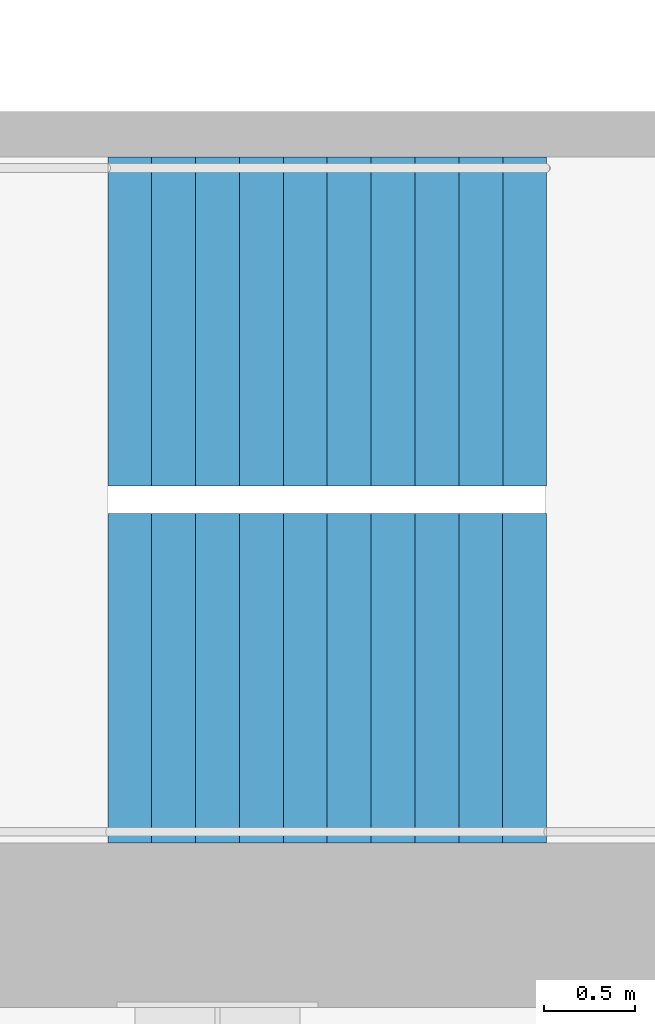
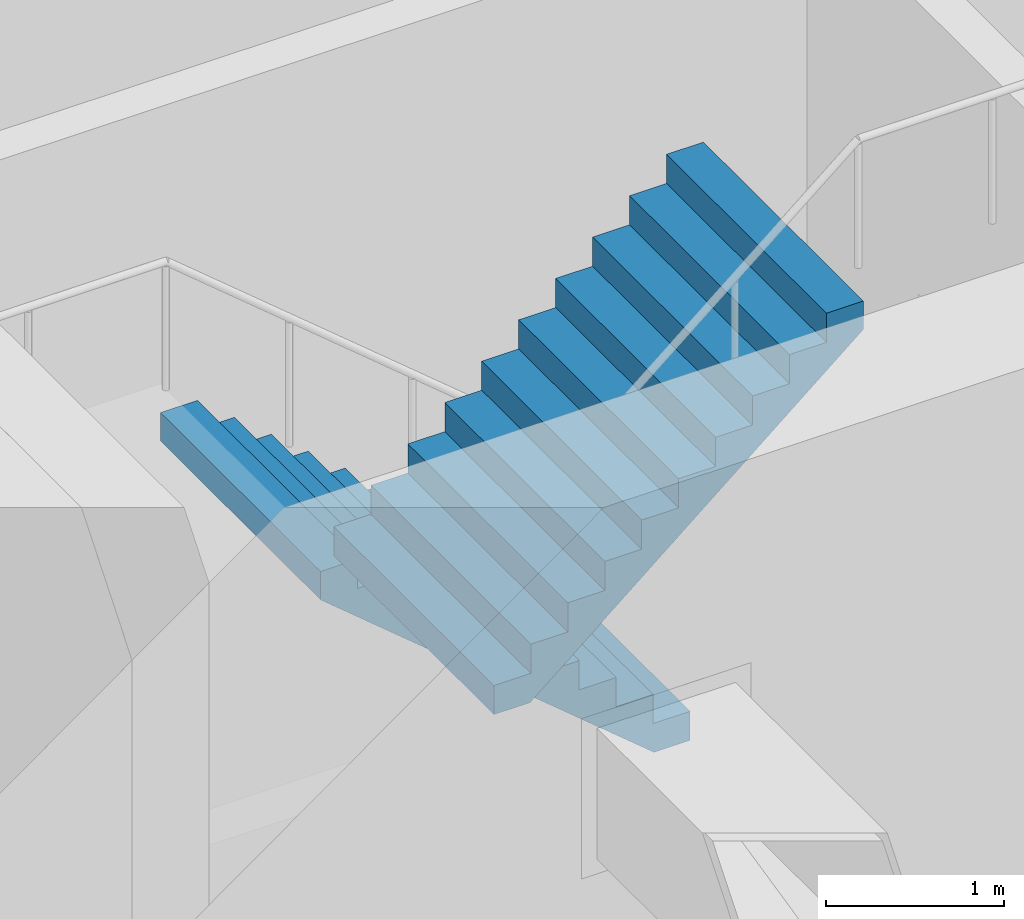
# One storey, part 28 of 33: 2 stair flights, 1 element without a shape of its own.
"""IFC4 building model written with IfcOpenShell, lengths in metres."""

from ifc_helpers import new_model, si_unit, direction, frame, origin, place, context, subcontext, project, spatial, triangles, material, type_object, element, aggregate, save


model = new_model("IFC4")

# Units and contexts
model_context = context("Model", 3, precision=1e-05, world=origin(), true_north=direction((0.0, 1.0)))
body_context = subcontext(model_context, "Body", "Model", "MODEL_VIEW")
ifc_project = project(units=[si_unit("LENGTHUNIT", "METRE"), si_unit("AREAUNIT", "SQUARE_METRE"), si_unit("VOLUMEUNIT", "CUBIC_METRE"), si_unit("PLANEANGLEUNIT", "RADIAN"), si_unit("MASSUNIT", "GRAM", prefix="KILO")], contexts=[model_context])

# Site, building, storey
site_placement = place(None, origin())
site = spatial("IfcSite", under=ifc_project, at=site_placement, CompositionType="ELEMENT")
building_placement = place(site_placement, origin())
building = spatial("IfcBuilding", under=site, at=building_placement, Name="Hakoniwa Tower and Hamabe Station Hall", CompositionType="ELEMENT")
storey_placement = place(building_placement, frame((0.0, 0.0, 228.199951171875)))
storey = spatial("IfcBuildingStorey", under=building, at=storey_placement, Name="L65", CompositionType="ELEMENT", Elevation=228.199951171875)

# Stair, stair flights
ifc_material_1 = material(Name="Concrete C40", Category="concrete")
stair_type = type_object("IfcStairType", Name="ESCAPE STAIR 1800", PredefinedType="HALF_TURN_STAIR", material=ifc_material_1)
stair_placement = place(storey_placement, origin())
stair = element("IfcStair", 1, at=stair_placement, inside=storey, type_object=stair_type, Name="Escape stair ST-2 L65", PredefinedType="HALF_TURN_STAIR")
ifc_material_2 = material(Name="Concrete C40", Category="concrete")
stair_flight_type = type_object("IfcStairFlightType", Name="STAIR FLIGHT 1800", PredefinedType="STRAIGHT", material=ifc_material_2)
stair_flight_1_placement = place(storey_placement, frame((-23.39990234375, -4.64990234375, 0.0), z_axis=(0.0, 0.0, 1.0), x_axis=(-1.0, 0.0, 0.0)))
stair_flight_1 = element("IfcStairFlight", 2, at=stair_flight_1_placement, type_object=stair_flight_type, Name="ST-2 flight 1", NumberOfRisers=11, NumberOfTreads=10, PredefinedType="STRAIGHT", RiserHeight=0.2, TreadLength=0.24, context=body_context, shape_type="Tessellation", body=[
    triangles([(0.0, 0.89990234375, 0.0), (0.234130859375, 0.89990234375, 0.0), (0.239990234375, 0.89990234375, 0.0048828125), (0.47998046875, 0.89990234375, 0.204833984375), (0.719970703125, 0.89990234375, 0.40478515625), (0.9599609375, 0.89990234375, 0.60498046875), (1.199951171875, 0.89990234375, 0.804931640625), (1.43994140625, 0.89990234375, 1.0048828125), (1.679931640625, 0.89990234375, 1.204833984375), (1.919921875, 0.89990234375, 1.40478515625), (2.159912109375, 0.89990234375, 1.60498046875), (2.39990234375, 0.89990234375, 1.804931640625), (2.39990234375, 0.89990234375, 2.0), (2.159912109375, 0.89990234375, 2.0), (2.159912109375, 0.89990234375, 1.800048828125), (1.919921875, 0.89990234375, 1.800048828125), (1.919921875, 0.89990234375, 1.60009765625), (1.679931640625, 0.89990234375, 1.60009765625), (1.679931640625, 0.89990234375, 1.39990234375), (1.43994140625, 0.89990234375, 1.39990234375), (1.43994140625, 0.89990234375, 1.199951171875), (1.199951171875, 0.89990234375, 1.199951171875), (1.199951171875, 0.89990234375, 1.0), (0.9599609375, 0.89990234375, 1.0), (0.9599609375, 0.89990234375, 0.800048828125), (0.719970703125, 0.89990234375, 0.800048828125), (0.719970703125, 0.89990234375, 0.60009765625), (0.47998046875, 0.89990234375, 0.60009765625), (0.47998046875, 0.89990234375, 0.39990234375), (0.239990234375, 0.89990234375, 0.39990234375), (0.239990234375, 0.89990234375, 0.199951171875), (0.234130859375, 0.89990234375, 0.199951171875), (0.0, 0.89990234375, 0.199951171875), (0.0, 0.06005859375, 0.0), (0.234130859375, 0.06005859375, 0.0), (0.239990234375, 0.06005859375, 0.0048828125), (0.47998046875, 0.06005859375, 0.204833984375), (0.719970703125, 0.06005859375, 0.40478515625), (0.9599609375, 0.06005859375, 0.60498046875), (1.199951171875, 0.06005859375, 0.804931640625), (1.43994140625, 0.06005859375, 1.0048828125), (1.679931640625, 0.06005859375, 1.204833984375), (1.919921875, 0.06005859375, 1.40478515625), (2.159912109375, 0.06005859375, 1.60498046875), (2.39990234375, 0.06005859375, 1.804931640625), (2.39990234375, 0.06005859375, 2.0), (2.159912109375, 0.06005859375, 2.0), (2.159912109375, 0.06005859375, 1.800048828125), (1.919921875, 0.06005859375, 1.800048828125), (1.919921875, 0.06005859375, 1.60009765625), (1.679931640625, 0.06005859375, 1.60009765625), (1.679931640625, 0.06005859375, 1.39990234375), (1.43994140625, 0.06005859375, 1.39990234375), (1.43994140625, 0.06005859375, 1.199951171875), (1.199951171875, 0.06005859375, 1.199951171875), (1.199951171875, 0.06005859375, 1.0), (0.9599609375, 0.06005859375, 1.0), (0.9599609375, 0.06005859375, 0.800048828125), (0.719970703125, 0.06005859375, 0.800048828125), (0.719970703125, 0.06005859375, 0.60009765625), (0.47998046875, 0.06005859375, 0.60009765625), (0.47998046875, 0.06005859375, 0.39990234375), (0.239990234375, 0.06005859375, 0.39990234375), (0.239990234375, 0.06005859375, 0.199951171875), (0.234130859375, 0.06005859375, 0.199951171875), (0.0, 0.06005859375, 0.199951171875), (0.0, 0.02001953125, 0.0), (0.234130859375, 0.02001953125, 0.0), (0.239990234375, 0.02001953125, 0.0048828125), (0.47998046875, 0.02001953125, 0.204833984375), (0.719970703125, 0.02001953125, 0.40478515625), (0.9599609375, 0.02001953125, 0.60498046875), (1.199951171875, 0.02001953125, 0.804931640625), (1.43994140625, 0.02001953125, 1.0048828125), (1.679931640625, 0.02001953125, 1.204833984375), (1.919921875, 0.02001953125, 1.40478515625), (2.159912109375, 0.02001953125, 1.60498046875), (2.39990234375, 0.02001953125, 1.804931640625), (2.39990234375, 0.02001953125, 2.0), (2.159912109375, 0.02001953125, 2.0), (2.159912109375, 0.02001953125, 1.800048828125), (1.919921875, 0.02001953125, 1.800048828125), (1.919921875, 0.02001953125, 1.60009765625), (1.679931640625, 0.02001953125, 1.60009765625), (1.679931640625, 0.02001953125, 1.39990234375), (1.43994140625, 0.02001953125, 1.39990234375), (1.43994140625, 0.02001953125, 1.199951171875), (1.199951171875, 0.02001953125, 1.199951171875), (1.199951171875, 0.02001953125, 1.0), (0.9599609375, 0.02001953125, 1.0), (0.9599609375, 0.02001953125, 0.800048828125), (0.719970703125, 0.02001953125, 0.800048828125), (0.719970703125, 0.02001953125, 0.60009765625), (0.47998046875, 0.02001953125, 0.60009765625), (0.47998046875, 0.02001953125, 0.39990234375), (0.239990234375, 0.02001953125, 0.39990234375), (0.239990234375, 0.02001953125, 0.199951171875), (0.234130859375, 0.02001953125, 0.199951171875), (0.0, 0.02001953125, 0.199951171875), (0.0, -0.02001953125, 0.0), (0.234130859375, -0.02001953125, 0.0), (0.239990234375, -0.02001953125, 0.0048828125), (0.47998046875, -0.02001953125, 0.204833984375), (0.719970703125, -0.02001953125, 0.40478515625), (0.9599609375, -0.02001953125, 0.60498046875), (1.199951171875, -0.02001953125, 0.804931640625), (1.43994140625, -0.02001953125, 1.0048828125), (1.679931640625, -0.02001953125, 1.204833984375), (1.919921875, -0.02001953125, 1.40478515625), (2.159912109375, -0.02001953125, 1.60498046875), (2.39990234375, -0.02001953125, 1.804931640625), (2.39990234375, -0.02001953125, 2.0), (2.159912109375, -0.02001953125, 2.0), (2.159912109375, -0.02001953125, 1.800048828125), (1.919921875, -0.02001953125, 1.800048828125), (1.919921875, -0.02001953125, 1.60009765625), (1.679931640625, -0.02001953125, 1.60009765625), (1.679931640625, -0.02001953125, 1.39990234375), (1.43994140625, -0.02001953125, 1.39990234375), (1.43994140625, -0.02001953125, 1.199951171875), (1.199951171875, -0.02001953125, 1.199951171875), (1.199951171875, -0.02001953125, 1.0), (0.9599609375, -0.02001953125, 1.0), (0.9599609375, -0.02001953125, 0.800048828125), (0.719970703125, -0.02001953125, 0.800048828125), (0.719970703125, -0.02001953125, 0.60009765625), (0.47998046875, -0.02001953125, 0.60009765625), (0.47998046875, -0.02001953125, 0.39990234375), (0.239990234375, -0.02001953125, 0.39990234375), (0.239990234375, -0.02001953125, 0.199951171875), (0.234130859375, -0.02001953125, 0.199951171875), (0.0, -0.02001953125, 0.199951171875), (0.0, -0.06005859375, 0.0), (0.234130859375, -0.06005859375, 0.0), (0.239990234375, -0.06005859375, 0.0048828125), (0.47998046875, -0.06005859375, 0.204833984375), (0.719970703125, -0.06005859375, 0.40478515625), (0.9599609375, -0.06005859375, 0.60498046875), (1.199951171875, -0.06005859375, 0.804931640625), (1.43994140625, -0.06005859375, 1.0048828125), (1.679931640625, -0.06005859375, 1.204833984375), (1.919921875, -0.06005859375, 1.40478515625), (2.159912109375, -0.06005859375, 1.60498046875), (2.39990234375, -0.06005859375, 1.804931640625), (2.39990234375, -0.06005859375, 2.0), (2.159912109375, -0.06005859375, 2.0), (2.159912109375, -0.06005859375, 1.800048828125), (1.919921875, -0.06005859375, 1.800048828125), (1.919921875, -0.06005859375, 1.60009765625), (1.679931640625, -0.06005859375, 1.60009765625), (1.679931640625, -0.06005859375, 1.39990234375), (1.43994140625, -0.06005859375, 1.39990234375), (1.43994140625, -0.06005859375, 1.199951171875), (1.199951171875, -0.06005859375, 1.199951171875), (1.199951171875, -0.06005859375, 1.0), (0.9599609375, -0.06005859375, 1.0), (0.9599609375, -0.06005859375, 0.800048828125), (0.719970703125, -0.06005859375, 0.800048828125), (0.719970703125, -0.06005859375, 0.60009765625), (0.47998046875, -0.06005859375, 0.60009765625), (0.47998046875, -0.06005859375, 0.39990234375), (0.239990234375, -0.06005859375, 0.39990234375), (0.239990234375, -0.06005859375, 0.199951171875), (0.234130859375, -0.06005859375, 0.199951171875), (0.0, -0.06005859375, 0.199951171875), (0.0, -0.89990234375, 0.0), (0.234130859375, -0.89990234375, 0.0), (0.239990234375, -0.89990234375, 0.0048828125), (0.47998046875, -0.89990234375, 0.204833984375), (0.719970703125, -0.89990234375, 0.40478515625), (0.9599609375, -0.89990234375, 0.60498046875), (1.199951171875, -0.89990234375, 0.804931640625), (1.43994140625, -0.89990234375, 1.0048828125), (1.679931640625, -0.89990234375, 1.204833984375), (1.919921875, -0.89990234375, 1.40478515625), (2.159912109375, -0.89990234375, 1.60498046875), (2.39990234375, -0.89990234375, 1.804931640625), (2.39990234375, -0.89990234375, 2.0), (2.159912109375, -0.89990234375, 2.0), (2.159912109375, -0.89990234375, 1.800048828125), (1.919921875, -0.89990234375, 1.800048828125), (1.919921875, -0.89990234375, 1.60009765625), (1.679931640625, -0.89990234375, 1.60009765625), (1.679931640625, -0.89990234375, 1.39990234375), (1.43994140625, -0.89990234375, 1.39990234375), (1.43994140625, -0.89990234375, 1.199951171875), (1.199951171875, -0.89990234375, 1.199951171875), (1.199951171875, -0.89990234375, 1.0), (0.9599609375, -0.89990234375, 1.0), (0.9599609375, -0.89990234375, 0.800048828125), (0.719970703125, -0.89990234375, 0.800048828125), (0.719970703125, -0.89990234375, 0.60009765625), (0.47998046875, -0.89990234375, 0.60009765625), (0.47998046875, -0.89990234375, 0.39990234375), (0.239990234375, -0.89990234375, 0.39990234375), (0.239990234375, -0.89990234375, 0.199951171875), (0.234130859375, -0.89990234375, 0.199951171875), (0.0, -0.89990234375, 0.199951171875)], [[2, 33, 32], [167, 197, 198], [2, 1, 33], [167, 198, 166], [3, 32, 31], [168, 196, 197], [3, 2, 32], [168, 197, 167], [4, 30, 29], [169, 194, 195], [4, 31, 30], [169, 195, 196], [4, 3, 31], [169, 196, 168], [5, 28, 27], [170, 192, 193], [5, 29, 28], [170, 193, 194], [5, 4, 29], [170, 194, 169], [6, 26, 25], [171, 190, 191], [6, 27, 26], [171, 191, 192], [6, 5, 27], [171, 192, 170], [7, 24, 23], [172, 188, 189], [7, 25, 24], [172, 189, 190], [7, 6, 25], [172, 190, 171], [8, 22, 21], [173, 186, 187], [8, 23, 22], [173, 187, 188], [8, 7, 23], [173, 188, 172], [9, 20, 19], [174, 184, 185], [9, 21, 20], [174, 185, 186], [9, 8, 21], [174, 186, 173], [10, 18, 17], [175, 182, 183], [10, 19, 18], [175, 183, 184], [10, 9, 19], [175, 184, 174], [11, 16, 15], [176, 180, 181], [11, 17, 16], [176, 181, 182], [11, 10, 17], [176, 182, 175], [12, 14, 13], [177, 178, 179], [12, 15, 14], [177, 179, 180], [12, 11, 15], [177, 180, 176], [1, 2, 35], [1, 35, 34], [34, 35, 68], [34, 68, 67], [67, 68, 101], [67, 101, 100], [100, 101, 134], [100, 134, 133], [133, 134, 167], [133, 167, 166], [2, 3, 36], [2, 36, 35], [35, 36, 69], [35, 69, 68], [68, 69, 102], [68, 102, 101], [101, 102, 135], [101, 135, 134], [134, 135, 168], [134, 168, 167], [3, 4, 37], [3, 37, 36], [36, 37, 70], [36, 70, 69], [69, 70, 103], [69, 103, 102], [102, 103, 136], [102, 136, 135], [135, 136, 169], [135, 169, 168], [4, 5, 38], [4, 38, 37], [37, 38, 71], [37, 71, 70], [70, 71, 104], [70, 104, 103], [103, 104, 137], [103, 137, 136], [136, 137, 170], [136, 170, 169], [5, 6, 39], [5, 39, 38], [38, 39, 72], [38, 72, 71], [71, 72, 105], [71, 105, 104], [104, 105, 138], [104, 138, 137], [137, 138, 171], [137, 171, 170], [6, 7, 40], [6, 40, 39], [39, 40, 73], [39, 73, 72], [72, 73, 106], [72, 106, 105], [105, 106, 139], [105, 139, 138], [138, 139, 172], [138, 172, 171], [7, 8, 41], [7, 41, 40], [40, 41, 74], [40, 74, 73], [73, 74, 107], [73, 107, 106], [106, 107, 140], [106, 140, 139], [139, 140, 173], [139, 173, 172], [8, 9, 42], [8, 42, 41], [41, 42, 75], [41, 75, 74], [74, 75, 108], [74, 108, 107], [107, 108, 141], [107, 141, 140], [140, 141, 174], [140, 174, 173], [9, 10, 43], [9, 43, 42], [42, 43, 76], [42, 76, 75], [75, 76, 109], [75, 109, 108], [108, 109, 142], [108, 142, 141], [141, 142, 175], [141, 175, 174], [10, 11, 44], [10, 44, 43], [43, 44, 77], [43, 77, 76], [76, 77, 110], [76, 110, 109], [109, 110, 143], [109, 143, 142], [142, 143, 176], [142, 176, 175], [11, 12, 45], [11, 45, 44], [44, 45, 78], [44, 78, 77], [77, 78, 111], [77, 111, 110], [110, 111, 144], [110, 144, 143], [143, 144, 177], [143, 177, 176], [12, 13, 46], [12, 46, 45], [45, 46, 79], [45, 79, 78], [78, 79, 112], [78, 112, 111], [111, 112, 145], [111, 145, 144], [144, 145, 178], [144, 178, 177], [13, 14, 47], [13, 47, 46], [46, 47, 80], [46, 80, 79], [79, 80, 113], [79, 113, 112], [112, 113, 146], [112, 146, 145], [145, 146, 179], [145, 179, 178], [14, 15, 48], [14, 48, 47], [47, 48, 81], [47, 81, 80], [80, 81, 114], [80, 114, 113], [113, 114, 147], [113, 147, 146], [146, 147, 180], [146, 180, 179], [15, 16, 49], [15, 49, 48], [48, 49, 82], [48, 82, 81], [81, 82, 115], [81, 115, 114], [114, 115, 148], [114, 148, 147], [147, 148, 181], [147, 181, 180], [16, 17, 50], [16, 50, 49], [49, 50, 83], [49, 83, 82], [82, 83, 116], [82, 116, 115], [115, 116, 149], [115, 149, 148], [148, 149, 182], [148, 182, 181], [17, 18, 51], [17, 51, 50], [50, 51, 84], [50, 84, 83], [83, 84, 117], [83, 117, 116], [116, 117, 150], [116, 150, 149], [149, 150, 183], [149, 183, 182], [18, 19, 52], [18, 52, 51], [51, 52, 85], [51, 85, 84], [84, 85, 118], [84, 118, 117], [117, 118, 151], [117, 151, 150], [150, 151, 184], [150, 184, 183], [19, 20, 53], [19, 53, 52], [52, 53, 86], [52, 86, 85], [85, 86, 119], [85, 119, 118], [118, 119, 152], [118, 152, 151], [151, 152, 185], [151, 185, 184], [20, 21, 54], [20, 54, 53], [53, 54, 87], [53, 87, 86], [86, 87, 120], [86, 120, 119], [119, 120, 153], [119, 153, 152], [152, 153, 186], [152, 186, 185], [21, 22, 55], [21, 55, 54], [54, 55, 88], [54, 88, 87], [87, 88, 121], [87, 121, 120], [120, 121, 154], [120, 154, 153], [153, 154, 187], [153, 187, 186], [22, 23, 56], [22, 56, 55], [55, 56, 89], [55, 89, 88], [88, 89, 122], [88, 122, 121], [121, 122, 155], [121, 155, 154], [154, 155, 188], [154, 188, 187], [23, 24, 57], [23, 57, 56], [56, 57, 90], [56, 90, 89], [89, 90, 123], [89, 123, 122], [122, 123, 156], [122, 156, 155], [155, 156, 189], [155, 189, 188], [24, 25, 58], [24, 58, 57], [57, 58, 91], [57, 91, 90], [90, 91, 124], [90, 124, 123], [123, 124, 157], [123, 157, 156], [156, 157, 190], [156, 190, 189], [25, 26, 59], [25, 59, 58], [58, 59, 92], [58, 92, 91], [91, 92, 125], [91, 125, 124], [124, 125, 158], [124, 158, 157], [157, 158, 191], [157, 191, 190], [26, 27, 60], [26, 60, 59], [59, 60, 93], [59, 93, 92], [92, 93, 126], [92, 126, 125], [125, 126, 159], [125, 159, 158], [158, 159, 192], [158, 192, 191], [27, 28, 61], [27, 61, 60], [60, 61, 94], [60, 94, 93], [93, 94, 127], [93, 127, 126], [126, 127, 160], [126, 160, 159], [159, 160, 193], [159, 193, 192], [28, 29, 62], [28, 62, 61], [61, 62, 95], [61, 95, 94], [94, 95, 128], [94, 128, 127], [127, 128, 161], [127, 161, 160], [160, 161, 194], [160, 194, 193], [29, 30, 63], [29, 63, 62], [62, 63, 96], [62, 96, 95], [95, 96, 129], [95, 129, 128], [128, 129, 162], [128, 162, 161], [161, 162, 195], [161, 195, 194], [30, 31, 64], [30, 64, 63], [63, 64, 97], [63, 97, 96], [96, 97, 130], [96, 130, 129], [129, 130, 163], [129, 163, 162], [162, 163, 196], [162, 196, 195], [31, 32, 65], [31, 65, 64], [64, 65, 98], [64, 98, 97], [97, 98, 131], [97, 131, 130], [130, 131, 164], [130, 164, 163], [163, 164, 197], [163, 197, 196], [32, 33, 66], [32, 66, 65], [65, 66, 99], [65, 99, 98], [98, 99, 132], [98, 132, 131], [131, 132, 165], [131, 165, 164], [164, 165, 198], [164, 198, 197], [33, 1, 34], [33, 34, 66], [66, 34, 67], [66, 67, 99], [99, 67, 100], [99, 100, 132], [132, 100, 133], [132, 133, 165], [165, 133, 166], [165, 166, 198]], closed=True),
])
stair_flight_2_placement = place(storey_placement, frame((-25.800048828125, -6.60009765625, 2.199951171875), z_axis=(0.0, 0.0, 1.0), x_axis=(1.0, 0.0, 0.0)))
stair_flight_2 = element("IfcStairFlight", 3, at=stair_flight_2_placement, type_object=stair_flight_type, Name="ST-2 flight 2", NumberOfRisers=11, NumberOfTreads=10, PredefinedType="STRAIGHT", RiserHeight=0.2, TreadLength=0.24, context=body_context, shape_type="Tessellation", body=[
    triangles([(0.0, 0.89990234375, 0.0), (0.234130859375, 0.89990234375, 0.0), (0.239990234375, 0.89990234375, 0.0048828125), (0.47998046875, 0.89990234375, 0.204833984375), (0.719970703125, 0.89990234375, 0.40478515625), (0.9599609375, 0.89990234375, 0.60498046875), (1.199951171875, 0.89990234375, 0.804931640625), (1.43994140625, 0.89990234375, 1.0048828125), (1.679931640625, 0.89990234375, 1.204833984375), (1.919921875, 0.89990234375, 1.40478515625), (2.159912109375, 0.89990234375, 1.60498046875), (2.39990234375, 0.89990234375, 1.804931640625), (2.39990234375, 0.89990234375, 2.0), (2.159912109375, 0.89990234375, 2.0), (2.159912109375, 0.89990234375, 1.800048828125), (1.919921875, 0.89990234375, 1.800048828125), (1.919921875, 0.89990234375, 1.60009765625), (1.679931640625, 0.89990234375, 1.60009765625), (1.679931640625, 0.89990234375, 1.39990234375), (1.43994140625, 0.89990234375, 1.39990234375), (1.43994140625, 0.89990234375, 1.199951171875), (1.199951171875, 0.89990234375, 1.199951171875), (1.199951171875, 0.89990234375, 1.0), (0.9599609375, 0.89990234375, 1.0), (0.9599609375, 0.89990234375, 0.800048828125), (0.719970703125, 0.89990234375, 0.800048828125), (0.719970703125, 0.89990234375, 0.60009765625), (0.47998046875, 0.89990234375, 0.60009765625), (0.47998046875, 0.89990234375, 0.39990234375), (0.239990234375, 0.89990234375, 0.39990234375), (0.239990234375, 0.89990234375, 0.199951171875), (0.234130859375, 0.89990234375, 0.199951171875), (0.0, 0.89990234375, 0.199951171875), (0.0, 0.06005859375, 0.0), (0.234130859375, 0.06005859375, 0.0), (0.239990234375, 0.06005859375, 0.0048828125), (0.47998046875, 0.06005859375, 0.204833984375), (0.719970703125, 0.06005859375, 0.40478515625), (0.9599609375, 0.06005859375, 0.60498046875), (1.199951171875, 0.06005859375, 0.804931640625), (1.43994140625, 0.06005859375, 1.0048828125), (1.679931640625, 0.06005859375, 1.204833984375), (1.919921875, 0.06005859375, 1.40478515625), (2.159912109375, 0.06005859375, 1.60498046875), (2.39990234375, 0.06005859375, 1.804931640625), (2.39990234375, 0.06005859375, 2.0), (2.159912109375, 0.06005859375, 2.0), (2.159912109375, 0.06005859375, 1.800048828125), (1.919921875, 0.06005859375, 1.800048828125), (1.919921875, 0.06005859375, 1.60009765625), (1.679931640625, 0.06005859375, 1.60009765625), (1.679931640625, 0.06005859375, 1.39990234375), (1.43994140625, 0.06005859375, 1.39990234375), (1.43994140625, 0.06005859375, 1.199951171875), (1.199951171875, 0.06005859375, 1.199951171875), (1.199951171875, 0.06005859375, 1.0), (0.9599609375, 0.06005859375, 1.0), (0.9599609375, 0.06005859375, 0.800048828125), (0.719970703125, 0.06005859375, 0.800048828125), (0.719970703125, 0.06005859375, 0.60009765625), (0.47998046875, 0.06005859375, 0.60009765625), (0.47998046875, 0.06005859375, 0.39990234375), (0.239990234375, 0.06005859375, 0.39990234375), (0.239990234375, 0.06005859375, 0.199951171875), (0.234130859375, 0.06005859375, 0.199951171875), (0.0, 0.06005859375, 0.199951171875), (0.0, 0.02001953125, 0.0), (0.234130859375, 0.02001953125, 0.0), (0.239990234375, 0.02001953125, 0.0048828125), (0.47998046875, 0.02001953125, 0.204833984375), (0.719970703125, 0.02001953125, 0.40478515625), (0.9599609375, 0.02001953125, 0.60498046875), (1.199951171875, 0.02001953125, 0.804931640625), (1.43994140625, 0.02001953125, 1.0048828125), (1.679931640625, 0.02001953125, 1.204833984375), (1.919921875, 0.02001953125, 1.40478515625), (2.159912109375, 0.02001953125, 1.60498046875), (2.39990234375, 0.02001953125, 1.804931640625), (2.39990234375, 0.02001953125, 2.0), (2.159912109375, 0.02001953125, 2.0), (2.159912109375, 0.02001953125, 1.800048828125), (1.919921875, 0.02001953125, 1.800048828125), (1.919921875, 0.02001953125, 1.60009765625), (1.679931640625, 0.02001953125, 1.60009765625), (1.679931640625, 0.02001953125, 1.39990234375), (1.43994140625, 0.02001953125, 1.39990234375), (1.43994140625, 0.02001953125, 1.199951171875), (1.199951171875, 0.02001953125, 1.199951171875), (1.199951171875, 0.02001953125, 1.0), (0.9599609375, 0.02001953125, 1.0), (0.9599609375, 0.02001953125, 0.800048828125), (0.719970703125, 0.02001953125, 0.800048828125), (0.719970703125, 0.02001953125, 0.60009765625), (0.47998046875, 0.02001953125, 0.60009765625), (0.47998046875, 0.02001953125, 0.39990234375), (0.239990234375, 0.02001953125, 0.39990234375), (0.239990234375, 0.02001953125, 0.199951171875), (0.234130859375, 0.02001953125, 0.199951171875), (0.0, 0.02001953125, 0.199951171875), (0.0, -0.02001953125, 0.0), (0.234130859375, -0.02001953125, 0.0), (0.239990234375, -0.02001953125, 0.0048828125), (0.47998046875, -0.02001953125, 0.204833984375), (0.719970703125, -0.02001953125, 0.40478515625), (0.9599609375, -0.02001953125, 0.60498046875), (1.199951171875, -0.02001953125, 0.804931640625), (1.43994140625, -0.02001953125, 1.0048828125), (1.679931640625, -0.02001953125, 1.204833984375), (1.919921875, -0.02001953125, 1.40478515625), (2.159912109375, -0.02001953125, 1.60498046875), (2.39990234375, -0.02001953125, 1.804931640625), (2.39990234375, -0.02001953125, 2.0), (2.159912109375, -0.02001953125, 2.0), (2.159912109375, -0.02001953125, 1.800048828125), (1.919921875, -0.02001953125, 1.800048828125), (1.919921875, -0.02001953125, 1.60009765625), (1.679931640625, -0.02001953125, 1.60009765625), (1.679931640625, -0.02001953125, 1.39990234375), (1.43994140625, -0.02001953125, 1.39990234375), (1.43994140625, -0.02001953125, 1.199951171875), (1.199951171875, -0.02001953125, 1.199951171875), (1.199951171875, -0.02001953125, 1.0), (0.9599609375, -0.02001953125, 1.0), (0.9599609375, -0.02001953125, 0.800048828125), (0.719970703125, -0.02001953125, 0.800048828125), (0.719970703125, -0.02001953125, 0.60009765625), (0.47998046875, -0.02001953125, 0.60009765625), (0.47998046875, -0.02001953125, 0.39990234375), (0.239990234375, -0.02001953125, 0.39990234375), (0.239990234375, -0.02001953125, 0.199951171875), (0.234130859375, -0.02001953125, 0.199951171875), (0.0, -0.02001953125, 0.199951171875), (0.0, -0.06005859375, 0.0), (0.234130859375, -0.06005859375, 0.0), (0.239990234375, -0.06005859375, 0.0048828125), (0.47998046875, -0.06005859375, 0.204833984375), (0.719970703125, -0.06005859375, 0.40478515625), (0.9599609375, -0.06005859375, 0.60498046875), (1.199951171875, -0.06005859375, 0.804931640625), (1.43994140625, -0.06005859375, 1.0048828125), (1.679931640625, -0.06005859375, 1.204833984375), (1.919921875, -0.06005859375, 1.40478515625), (2.159912109375, -0.06005859375, 1.60498046875), (2.39990234375, -0.06005859375, 1.804931640625), (2.39990234375, -0.06005859375, 2.0), (2.159912109375, -0.06005859375, 2.0), (2.159912109375, -0.06005859375, 1.800048828125), (1.919921875, -0.06005859375, 1.800048828125), (1.919921875, -0.06005859375, 1.60009765625), (1.679931640625, -0.06005859375, 1.60009765625), (1.679931640625, -0.06005859375, 1.39990234375), (1.43994140625, -0.06005859375, 1.39990234375), (1.43994140625, -0.06005859375, 1.199951171875), (1.199951171875, -0.06005859375, 1.199951171875), (1.199951171875, -0.06005859375, 1.0), (0.9599609375, -0.06005859375, 1.0), (0.9599609375, -0.06005859375, 0.800048828125), (0.719970703125, -0.06005859375, 0.800048828125), (0.719970703125, -0.06005859375, 0.60009765625), (0.47998046875, -0.06005859375, 0.60009765625), (0.47998046875, -0.06005859375, 0.39990234375), (0.239990234375, -0.06005859375, 0.39990234375), (0.239990234375, -0.06005859375, 0.199951171875), (0.234130859375, -0.06005859375, 0.199951171875), (0.0, -0.06005859375, 0.199951171875), (0.0, -0.89990234375, 0.0), (0.234130859375, -0.89990234375, 0.0), (0.239990234375, -0.89990234375, 0.0048828125), (0.47998046875, -0.89990234375, 0.204833984375), (0.719970703125, -0.89990234375, 0.40478515625), (0.9599609375, -0.89990234375, 0.60498046875), (1.199951171875, -0.89990234375, 0.804931640625), (1.43994140625, -0.89990234375, 1.0048828125), (1.679931640625, -0.89990234375, 1.204833984375), (1.919921875, -0.89990234375, 1.40478515625), (2.159912109375, -0.89990234375, 1.60498046875), (2.39990234375, -0.89990234375, 1.804931640625), (2.39990234375, -0.89990234375, 2.0), (2.159912109375, -0.89990234375, 2.0), (2.159912109375, -0.89990234375, 1.800048828125), (1.919921875, -0.89990234375, 1.800048828125), (1.919921875, -0.89990234375, 1.60009765625), (1.679931640625, -0.89990234375, 1.60009765625), (1.679931640625, -0.89990234375, 1.39990234375), (1.43994140625, -0.89990234375, 1.39990234375), (1.43994140625, -0.89990234375, 1.199951171875), (1.199951171875, -0.89990234375, 1.199951171875), (1.199951171875, -0.89990234375, 1.0), (0.9599609375, -0.89990234375, 1.0), (0.9599609375, -0.89990234375, 0.800048828125), (0.719970703125, -0.89990234375, 0.800048828125), (0.719970703125, -0.89990234375, 0.60009765625), (0.47998046875, -0.89990234375, 0.60009765625), (0.47998046875, -0.89990234375, 0.39990234375), (0.239990234375, -0.89990234375, 0.39990234375), (0.239990234375, -0.89990234375, 0.199951171875), (0.234130859375, -0.89990234375, 0.199951171875), (0.0, -0.89990234375, 0.199951171875)], [[2, 33, 32], [167, 197, 198], [2, 1, 33], [167, 198, 166], [3, 32, 31], [168, 196, 197], [3, 2, 32], [168, 197, 167], [4, 30, 29], [169, 194, 195], [4, 31, 30], [169, 195, 196], [4, 3, 31], [169, 196, 168], [5, 28, 27], [170, 192, 193], [5, 29, 28], [170, 193, 194], [5, 4, 29], [170, 194, 169], [6, 26, 25], [171, 190, 191], [6, 27, 26], [171, 191, 192], [6, 5, 27], [171, 192, 170], [7, 24, 23], [172, 188, 189], [7, 25, 24], [172, 189, 190], [7, 6, 25], [172, 190, 171], [8, 22, 21], [173, 186, 187], [8, 23, 22], [173, 187, 188], [8, 7, 23], [173, 188, 172], [9, 20, 19], [174, 184, 185], [9, 21, 20], [174, 185, 186], [9, 8, 21], [174, 186, 173], [10, 18, 17], [175, 182, 183], [10, 19, 18], [175, 183, 184], [10, 9, 19], [175, 184, 174], [11, 16, 15], [176, 180, 181], [11, 17, 16], [176, 181, 182], [11, 10, 17], [176, 182, 175], [12, 14, 13], [177, 178, 179], [12, 15, 14], [177, 179, 180], [12, 11, 15], [177, 180, 176], [1, 2, 35], [1, 35, 34], [34, 35, 68], [34, 68, 67], [67, 68, 101], [67, 101, 100], [100, 101, 134], [100, 134, 133], [133, 134, 167], [133, 167, 166], [2, 3, 36], [2, 36, 35], [35, 36, 69], [35, 69, 68], [68, 69, 102], [68, 102, 101], [101, 102, 135], [101, 135, 134], [134, 135, 168], [134, 168, 167], [3, 4, 37], [3, 37, 36], [36, 37, 70], [36, 70, 69], [69, 70, 103], [69, 103, 102], [102, 103, 136], [102, 136, 135], [135, 136, 169], [135, 169, 168], [4, 5, 38], [4, 38, 37], [37, 38, 71], [37, 71, 70], [70, 71, 104], [70, 104, 103], [103, 104, 137], [103, 137, 136], [136, 137, 170], [136, 170, 169], [5, 6, 39], [5, 39, 38], [38, 39, 72], [38, 72, 71], [71, 72, 105], [71, 105, 104], [104, 105, 138], [104, 138, 137], [137, 138, 171], [137, 171, 170], [6, 7, 40], [6, 40, 39], [39, 40, 73], [39, 73, 72], [72, 73, 106], [72, 106, 105], [105, 106, 139], [105, 139, 138], [138, 139, 172], [138, 172, 171], [7, 8, 41], [7, 41, 40], [40, 41, 74], [40, 74, 73], [73, 74, 107], [73, 107, 106], [106, 107, 140], [106, 140, 139], [139, 140, 173], [139, 173, 172], [8, 9, 42], [8, 42, 41], [41, 42, 75], [41, 75, 74], [74, 75, 108], [74, 108, 107], [107, 108, 141], [107, 141, 140], [140, 141, 174], [140, 174, 173], [9, 10, 43], [9, 43, 42], [42, 43, 76], [42, 76, 75], [75, 76, 109], [75, 109, 108], [108, 109, 142], [108, 142, 141], [141, 142, 175], [141, 175, 174], [10, 11, 44], [10, 44, 43], [43, 44, 77], [43, 77, 76], [76, 77, 110], [76, 110, 109], [109, 110, 143], [109, 143, 142], [142, 143, 176], [142, 176, 175], [11, 12, 45], [11, 45, 44], [44, 45, 78], [44, 78, 77], [77, 78, 111], [77, 111, 110], [110, 111, 144], [110, 144, 143], [143, 144, 177], [143, 177, 176], [12, 13, 46], [12, 46, 45], [45, 46, 79], [45, 79, 78], [78, 79, 112], [78, 112, 111], [111, 112, 145], [111, 145, 144], [144, 145, 178], [144, 178, 177], [13, 14, 47], [13, 47, 46], [46, 47, 80], [46, 80, 79], [79, 80, 113], [79, 113, 112], [112, 113, 146], [112, 146, 145], [145, 146, 179], [145, 179, 178], [14, 15, 48], [14, 48, 47], [47, 48, 81], [47, 81, 80], [80, 81, 114], [80, 114, 113], [113, 114, 147], [113, 147, 146], [146, 147, 180], [146, 180, 179], [15, 16, 49], [15, 49, 48], [48, 49, 82], [48, 82, 81], [81, 82, 115], [81, 115, 114], [114, 115, 148], [114, 148, 147], [147, 148, 181], [147, 181, 180], [16, 17, 50], [16, 50, 49], [49, 50, 83], [49, 83, 82], [82, 83, 116], [82, 116, 115], [115, 116, 149], [115, 149, 148], [148, 149, 182], [148, 182, 181], [17, 18, 51], [17, 51, 50], [50, 51, 84], [50, 84, 83], [83, 84, 117], [83, 117, 116], [116, 117, 150], [116, 150, 149], [149, 150, 183], [149, 183, 182], [18, 19, 52], [18, 52, 51], [51, 52, 85], [51, 85, 84], [84, 85, 118], [84, 118, 117], [117, 118, 151], [117, 151, 150], [150, 151, 184], [150, 184, 183], [19, 20, 53], [19, 53, 52], [52, 53, 86], [52, 86, 85], [85, 86, 119], [85, 119, 118], [118, 119, 152], [118, 152, 151], [151, 152, 185], [151, 185, 184], [20, 21, 54], [20, 54, 53], [53, 54, 87], [53, 87, 86], [86, 87, 120], [86, 120, 119], [119, 120, 153], [119, 153, 152], [152, 153, 186], [152, 186, 185], [21, 22, 55], [21, 55, 54], [54, 55, 88], [54, 88, 87], [87, 88, 121], [87, 121, 120], [120, 121, 154], [120, 154, 153], [153, 154, 187], [153, 187, 186], [22, 23, 56], [22, 56, 55], [55, 56, 89], [55, 89, 88], [88, 89, 122], [88, 122, 121], [121, 122, 155], [121, 155, 154], [154, 155, 188], [154, 188, 187], [23, 24, 57], [23, 57, 56], [56, 57, 90], [56, 90, 89], [89, 90, 123], [89, 123, 122], [122, 123, 156], [122, 156, 155], [155, 156, 189], [155, 189, 188], [24, 25, 58], [24, 58, 57], [57, 58, 91], [57, 91, 90], [90, 91, 124], [90, 124, 123], [123, 124, 157], [123, 157, 156], [156, 157, 190], [156, 190, 189], [25, 26, 59], [25, 59, 58], [58, 59, 92], [58, 92, 91], [91, 92, 125], [91, 125, 124], [124, 125, 158], [124, 158, 157], [157, 158, 191], [157, 191, 190], [26, 27, 60], [26, 60, 59], [59, 60, 93], [59, 93, 92], [92, 93, 126], [92, 126, 125], [125, 126, 159], [125, 159, 158], [158, 159, 192], [158, 192, 191], [27, 28, 61], [27, 61, 60], [60, 61, 94], [60, 94, 93], [93, 94, 127], [93, 127, 126], [126, 127, 160], [126, 160, 159], [159, 160, 193], [159, 193, 192], [28, 29, 62], [28, 62, 61], [61, 62, 95], [61, 95, 94], [94, 95, 128], [94, 128, 127], [127, 128, 161], [127, 161, 160], [160, 161, 194], [160, 194, 193], [29, 30, 63], [29, 63, 62], [62, 63, 96], [62, 96, 95], [95, 96, 129], [95, 129, 128], [128, 129, 162], [128, 162, 161], [161, 162, 195], [161, 195, 194], [30, 31, 64], [30, 64, 63], [63, 64, 97], [63, 97, 96], [96, 97, 130], [96, 130, 129], [129, 130, 163], [129, 163, 162], [162, 163, 196], [162, 196, 195], [31, 32, 65], [31, 65, 64], [64, 65, 98], [64, 98, 97], [97, 98, 131], [97, 131, 130], [130, 131, 164], [130, 164, 163], [163, 164, 197], [163, 197, 196], [32, 33, 66], [32, 66, 65], [65, 66, 99], [65, 99, 98], [98, 99, 132], [98, 132, 131], [131, 132, 165], [131, 165, 164], [164, 165, 198], [164, 198, 197], [33, 1, 34], [33, 34, 66], [66, 34, 67], [66, 67, 99], [99, 67, 100], [99, 100, 132], [132, 100, 133], [132, 133, 165], [165, 133, 166], [165, 166, 198]], closed=True),
])
aggregate(stair, [stair_flight_1, stair_flight_2])

save(model, "model.ifc")
